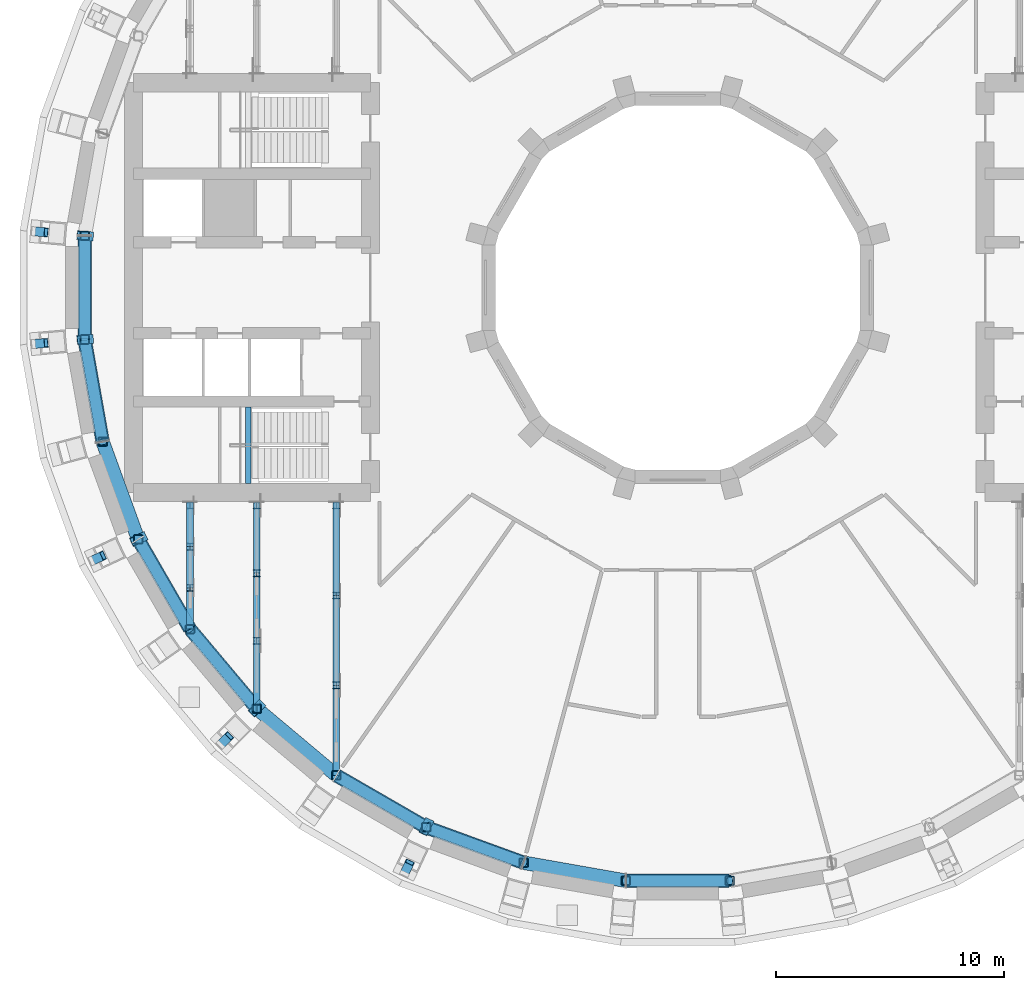
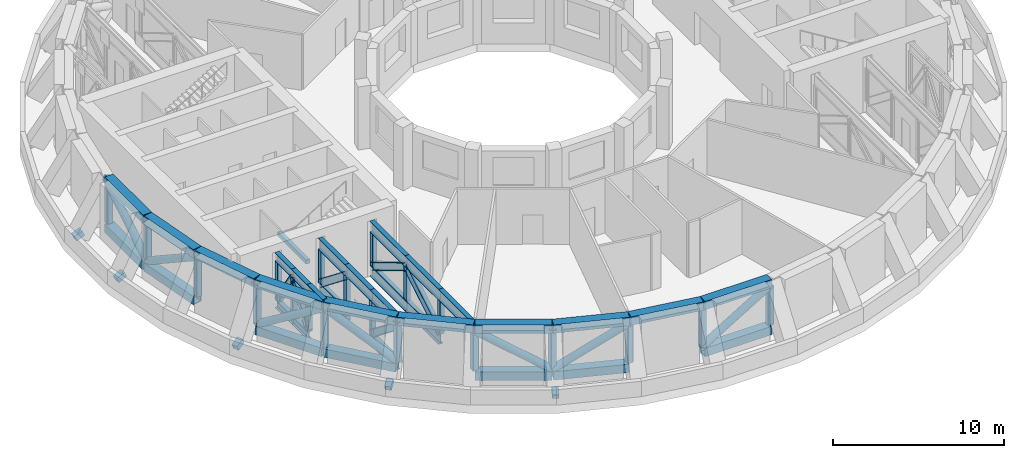
# One storey, part 2 of 19: 65 members, 11 beams.
"""IFC4 building model written with IfcOpenShell, lengths in metres."""

from ifc_helpers import new_model, si_unit, direction, frame, origin, origin_2d, place, context, subcontext, project, spatial, rectangle, hollow_rectangle, hollow_circle, i_section, extrude, material, material_profile, profile_set, type_object, element, save


model = new_model("IFC4")

# Units and contexts
model_context = context("Model", 3, precision=1e-05, world=origin(), true_north=direction((0.0, 1.0)))
body_context = subcontext(model_context, "Body", "Model", "MODEL_VIEW")
ifc_project = project(units=[si_unit("LENGTHUNIT", "METRE"), si_unit("AREAUNIT", "SQUARE_METRE"), si_unit("VOLUMEUNIT", "CUBIC_METRE"), si_unit("PLANEANGLEUNIT", "RADIAN"), si_unit("MASSUNIT", "GRAM", prefix="KILO")], contexts=[model_context])

# Site, building, storey
site_placement = place(None, origin())
site = spatial("IfcSite", under=ifc_project, at=site_placement, CompositionType="ELEMENT")
building_placement = place(site_placement, origin())
building = spatial("IfcBuilding", under=site, at=building_placement, Name="Saqina Gate Tower", CompositionType="ELEMENT")
storey_placement = place(building_placement, frame((0.0, 0.0, 82.39990234375)))
storey = spatial("IfcBuildingStorey", under=building, at=storey_placement, Name="L23", CompositionType="ELEMENT", Elevation=82.39990234375)

# Beam
ifc_material_1 = material(Name="Concrete C40/50", Category="concrete")
ifc_material_profile_1 = material_profile(ifc_material_1, rectangle(XDim=0.25, YDim=0.300048828125, at=origin_2d()), Name="STAIR LANDING BEAM")
ifc_profile_set_1 = profile_set([ifc_material_profile_1], Name="Concrete C40/50")
beam_type_1 = type_object("IfcBeamType", Name="STAIR LANDING BEAM", PredefinedType="BEAM", material=ifc_profile_set_1)
beam_placement = place(storey_placement, frame((-18.860107421875, -8.60009765625, 1.85009765625), z_axis=(0.0, 1.0, 0.0), x_axis=(-1.0, 0.0, 0.0)))
element("IfcBeam", 1, at=beam_placement, inside=storey, type_object=beam_type_1, Name="EXIT STAIR 4 LANDING BEAM", PredefinedType="BEAM", context=body_context, shape_type="SweptSolid", body=[
    extrude(rectangle(XDim=0.25, YDim=0.300048828125, at=origin_2d()), origin(), (0.0, 0.0, 1.0), 3.35009765625),
])

# Members
ifc_material_2 = material(Name="Steel S460", Category="steel")
ifc_material_profile_2 = material_profile(ifc_material_2, hollow_rectangle(XDim=0.60009765625, YDim=0.60009765625, WallThickness=0.050048828125, at=origin_2d()), Name="BOX 600x600x50")
ifc_profile_set_2 = profile_set([ifc_material_profile_2], Name="Steel S460")
member_type_1 = type_object("IfcMemberType", Name="STR-BELT TRUSS L23 CHORD-BOX 600x600x50", PredefinedType="CHORD", material=ifc_profile_set_2)
for number, where, z_axis, x_axis, name in (
    (2, (-26.050537109375, 2.2529296875, 0.300048828125), (0.0, -1.0, 0.0), (1.0, 0.0, 0.0), "BELT TRUSS L23 CHORD 040"),
    (3, (-26.050537109375, 2.2529296875, 3.650146484375), (0.0, -1.0, 0.0), (1.0, 0.0, 0.0), "BELT TRUSS L23 CHORD 041"),
):
    element("IfcMember", number, at=place(storey_placement, frame(where, z_axis=z_axis, x_axis=x_axis)), inside=storey, type_object=member_type_1, Name=name, PredefinedType="CHORD", context=body_context, shape_type="SweptSolid", body=[
        extrude(hollow_rectangle(XDim=0.60009765625, YDim=0.60009765625, WallThickness=0.050048828125, at=origin_2d()), origin(), (0.0, 0.0, 1.0), 4.505859375),
    ])
for number, where, z_axis, x_axis, name in (
    (4, (-26.0458984375, -2.304931640625, 0.300048828125), (0.173661689795, -0.984805370364, 0.0), (0.984805370364, 0.173661689795, 0.0), "BELT TRUSS L23 CHORD 043"),
    (5, (-26.0458984375, -2.304931640625, 3.650146484375), (0.173661689795, -0.984805370364, 0.0), (0.984805370364, 0.173661689795, 0.0), "BELT TRUSS L23 CHORD 044"),
):
    element("IfcMember", number, at=place(storey_placement, frame(where, z_axis=z_axis, x_axis=x_axis)), inside=storey, type_object=member_type_1, Name=name, PredefinedType="CHORD", context=body_context, shape_type="SweptSolid", body=[
        extrude(hollow_rectangle(XDim=0.60009765625, YDim=0.60009765625, WallThickness=0.050048828125, at=origin_2d()), origin(), (0.0, 0.0, 1.0), 4.505615234375),
    ])
for number, where, z_axis, x_axis, name in (
    (6, (-25.25, -6.792724609375, 3.650146484375), (0.342004078246, -0.939698467841, 0.0), (0.939698467841, 0.342004078246, 0.0), "BELT TRUSS L23 CHORD 046"),
    (7, (-23.686767578125, -11.07421875, 0.300048828125), (0.500008560247, -0.866020461467, 0.0), (0.866020461467, 0.500008560247, 0.0), "BELT TRUSS L23 CHORD 047"),
    (8, (-23.686767578125, -11.07421875, 3.650146484375), (0.500008560247, -0.866020461467, 0.0), (0.866020461467, 0.500008560247, 0.0), "BELT TRUSS L23 CHORD 048"),
    (9, (-21.404052734375, -15.01904296875, 0.300048828125), (0.642781549747, -0.766049527971, 0.0), (0.766049527971, 0.642781549747, 0.0), "BELT TRUSS L23 CHORD 050"),
    (10, (-21.404052734375, -15.01904296875, 3.650146484375), (0.642781549747, -0.766049527971, 0.0), (0.766049527971, 0.642781549747, 0.0), "BELT TRUSS L23 CHORD 051"),
    (11, (-18.470703125, -18.5078125, 3.650146484375), (0.766049527971, -0.642781549747, 0.0), (0.642781549747, 0.766049527971, 0.0), "BELT TRUSS L23 CHORD 053"),
    (12, (-14.976318359375, -21.433837890625, 0.300048828125), (0.866020461467, -0.500008560247, 0.0), (0.500008560247, 0.866020461467, 0.0), "BELT TRUSS L23 CHORD 054"),
    (13, (-14.976318359375, -21.433837890625, 3.650146484375), (0.866020461467, -0.500008560247, 0.0), (0.500008560247, 0.866020461467, 0.0), "BELT TRUSS L23 CHORD 055"),
    (14, (-11.02685546875, -23.708984375, 0.300048828125), (0.939698467841, -0.342004078246, 0.0), (0.342004078246, 0.939698467841, 0.0), "BELT TRUSS L23 CHORD 057"),
    (15, (-11.02685546875, -23.708984375, 3.650146484375), (0.939698467841, -0.342004078246, 0.0), (0.342004078246, 0.939698467841, 0.0), "BELT TRUSS L23 CHORD 058"),
):
    element("IfcMember", number, at=place(storey_placement, frame(where, z_axis=z_axis, x_axis=x_axis)), inside=storey, type_object=member_type_1, Name=name, PredefinedType="CHORD", context=body_context, shape_type="SweptSolid", body=[
        extrude(hollow_rectangle(XDim=0.60009765625, YDim=0.60009765625, WallThickness=0.050048828125, at=origin_2d()), origin(), (0.0, 0.0, 1.0), 4.505859375),
    ])
member_1_placement = place(storey_placement, frame((-6.7421875, -25.263427734375, 3.650146484375), z_axis=(0.984805370364, -0.173661689795, 0.0), x_axis=(0.173661689795, 0.984805370364, 0.0)))
element("IfcMember", 16, at=member_1_placement, inside=storey, type_object=member_type_1, Name="BELT TRUSS L23 CHORD 060", PredefinedType="CHORD", context=body_context, shape_type="SweptSolid", body=[
    extrude(hollow_rectangle(XDim=0.60009765625, YDim=0.60009765625, WallThickness=0.050048828125, at=origin_2d()), origin(), (0.0, 0.0, 1.0), 4.505615234375),
])
for number, where, z_axis, x_axis, name in (
    (17, (-2.2529296875, -26.050537109375, 0.300048828125), (1.0, 0.0, 0.0), (0.0, 1.0, 0.0), "BELT TRUSS L23 CHORD 061"),
    (18, (-2.2529296875, -26.050537109375, 3.650146484375), (1.0, 0.0, 0.0), (0.0, 1.0, 0.0), "BELT TRUSS L23 CHORD 062"),
):
    element("IfcMember", number, at=place(storey_placement, frame(where, z_axis=z_axis, x_axis=x_axis)), inside=storey, type_object=member_type_1, Name=name, PredefinedType="CHORD", context=body_context, shape_type="SweptSolid", body=[
        extrude(hollow_rectangle(XDim=0.60009765625, YDim=0.60009765625, WallThickness=0.050048828125, at=origin_2d()), origin(), (0.0, 0.0, 1.0), 4.505859375),
    ])
ifc_material_3 = material(Name="Steel S460", Category="steel")
ifc_material_profile_3 = material_profile(ifc_material_3, hollow_circle(Radius=0.25390625, WallThickness=0.02001953125, at=origin_2d()), Name="CHS 508x20")
ifc_profile_set_3 = profile_set([ifc_material_profile_3], Name="Steel S460")
member_type_2 = type_object("IfcMemberType", Name="STR-BELT TRUSS L23 DIAGONAL-CHS 508x20", PredefinedType="BRACE", material=ifc_profile_set_3)
member_2_placement = place(storey_placement, frame((-26.050537109375, 2.289306640625, 3.356201171875), z_axis=(0.0, -0.856249638459, -0.516562248562), x_axis=(1.0, 0.0, 0.0)))
element("IfcMember", 19, at=member_2_placement, inside=storey, type_object=member_type_2, Name="BELT TRUSS L23 DIAGONAL 042", PredefinedType="BRACE", context=body_context, shape_type="SweptSolid", body=[
    extrude(hollow_circle(Radius=0.25390625, WallThickness=0.02001953125, at=origin_2d()), origin(), (0.0, 0.0, 1.0), 5.34716796875),
])
for number, where, z_axis, x_axis, name in (
    (20, (-26.05224609375, -2.26904296875, 0.593994140625), (0.148698900419, -0.843251056415, 0.516542634125), (0.984805558509, 0.173660622851, 0.0), "BELT TRUSS L23 DIAGONAL 045"),
    (21, (-23.705078125, -11.04248046875, 0.593994140625), (0.428116708438, -0.741545438674, 0.516552462329), (0.866032862936, 0.499987080147, 0.0), "BELT TRUSS L23 DIAGONAL 049"),
):
    element("IfcMember", number, at=place(storey_placement, frame(where, z_axis=z_axis, x_axis=x_axis)), inside=storey, type_object=member_type_2, Name=name, PredefinedType="BRACE", context=body_context, shape_type="SweptSolid", body=[
        extrude(hollow_circle(Radius=0.25390625, WallThickness=0.02001953125, at=origin_2d()), origin(), (0.0, 0.0, 1.0), 5.347412109375),
    ])
member_3_placement = place(storey_placement, frame((-21.427490234375, -14.9912109375, 3.356201171875), z_axis=(0.550413681334, -0.655921811524, -0.51653785589), x_axis=(0.766027230589, 0.642808122223, 0.0)))
element("IfcMember", 22, at=member_3_placement, inside=storey, type_object=member_type_2, Name="BELT TRUSS L23 DIAGONAL 052", PredefinedType="BRACE", context=body_context, shape_type="SweptSolid", body=[
    extrude(hollow_circle(Radius=0.25390625, WallThickness=0.02001953125, at=origin_2d()), origin(), (0.0, 0.0, 1.0), 5.34765625),
])
member_4_placement = place(storey_placement, frame((-15.0078125, -21.415771484375, 3.356201171875), z_axis=(0.741545438674, -0.428116708438, -0.516552462329), x_axis=(0.499987080147, 0.866032862936, 0.0)))
element("IfcMember", 23, at=member_4_placement, inside=storey, type_object=member_type_2, Name="BELT TRUSS L23 DIAGONAL 056", PredefinedType="BRACE", context=body_context, shape_type="SweptSolid", body=[
    extrude(hollow_circle(Radius=0.25390625, WallThickness=0.02001953125, at=origin_2d()), origin(), (0.0, 0.0, 1.0), 5.347412109375),
])
for number, where, z_axis, x_axis, name in (
    (24, (-11.06103515625, -23.696533203125, 0.593994140625), (0.804614184713, -0.292844315993, 0.516563858926), (0.34200849274, 0.939696861171, 0.0), "BELT TRUSS L23 DIAGONAL 059"),
    (25, (-2.289306640625, -26.050537109375, 0.593994140625), (0.856249638459, 0.0, 0.516562248562), (0.0, 1.0, 0.0), "BELT TRUSS L23 DIAGONAL 063"),
):
    element("IfcMember", number, at=place(storey_placement, frame(where, z_axis=z_axis, x_axis=x_axis)), inside=storey, type_object=member_type_2, Name=name, PredefinedType="BRACE", context=body_context, shape_type="SweptSolid", body=[
        extrude(hollow_circle(Radius=0.25390625, WallThickness=0.02001953125, at=origin_2d()), origin(), (0.0, 0.0, 1.0), 5.34716796875),
    ])
ifc_material_4 = material(Name="Steel S460", Category="steel")
ifc_material_profile_4 = material_profile(ifc_material_4, hollow_rectangle(XDim=0.39990234375, YDim=0.39990234375, WallThickness=0.02001953125, InnerFilletRadius=0.0400390625, OuterFilletRadius=0.06005859375, at=origin_2d()), Name="SHS 400x400x20")
ifc_profile_set_4 = profile_set([ifc_material_profile_4], Name="Steel S460")
member_type_3 = type_object("IfcMemberType", Name="STR-BELT TRUSS L23 POST-SHS 400x400x20", PredefinedType="POST", material=ifc_profile_set_4)
for number, where, z_axis, x_axis, name in (
    (26, (-26.050537109375, 2.279052734375, 0.60009765625), (0.0, 0.0, 1.0), (1.0, 0.0, 0.0), "BELT TRUSS L23 POST 101"),
    (27, (-26.050537109375, -2.279052734375, 0.60009765625), (0.0, 0.0, 1.0), (1.0, 0.0, 0.0), "BELT TRUSS L23 POST 102"),
    (28, (-25.259033203125, -6.76806640625, 0.60009765625), (0.0, 0.0, 1.0), (1.0, 0.0, 0.0), "BELT TRUSS L23 POST 103"),
    (29, (-23.699951171875, -11.051513671875, 0.60009765625), (0.0, 0.0, 1.0), (1.0, 0.0, 0.0), "BELT TRUSS L23 POST 104"),
    (30, (-21.4208984375, -14.9990234375, 0.60009765625), (0.0, 0.0, 1.0), (1.0, 0.0, 0.0), "BELT TRUSS L23 POST 105"),
    (31, (-18.49072265625, -18.49072265625, 0.60009765625), (0.0, 0.0, 1.0), (1.0, 0.0, 0.0), "BELT TRUSS L23 POST 106"),
    (32, (-14.9990234375, -21.4208984375, 0.60009765625), (0.0, 0.0, 1.0), (1.0, 0.0, 0.0), "BELT TRUSS L23 POST 107"),
    (33, (-11.051513671875, -23.699951171875, 0.60009765625), (0.0, 0.0, 1.0), (1.0, 0.0, 0.0), "BELT TRUSS L23 POST 108"),
    (34, (-6.76806640625, -25.259033203125, 0.60009765625), (0.0, 0.0, 1.0), (1.0, 0.0, 0.0), "BELT TRUSS L23 POST 109"),
    (35, (-2.279052734375, -26.050537109375, 0.60009765625), (0.0, 0.0, 1.0), (1.0, 0.0, 0.0), "BELT TRUSS L23 POST 110"),
    (36, (2.279052734375, -26.050537109375, 0.60009765625), (0.0, 0.0, 1.0), (1.0, 0.0, 0.0), "BELT TRUSS L23 POST 111"),
):
    element("IfcMember", number, at=place(storey_placement, frame(where, z_axis=z_axis, x_axis=x_axis)), inside=storey, type_object=member_type_3, Name=name, PredefinedType="POST", context=body_context, shape_type="SweptSolid", body=[
        extrude(hollow_rectangle(XDim=0.39990234375, YDim=0.39990234375, WallThickness=0.02001953125, InnerFilletRadius=0.0400390625, OuterFilletRadius=0.06005859375, at=origin_2d()), origin(), (0.0, 0.0, 1.0), 2.75),
    ])

# Beams
ifc_material_5 = material(Name="Steel S460", Category="steel")
ifc_material_profile_5 = material_profile(ifc_material_5, hollow_rectangle(XDim=0.39990234375, YDim=0.39990234375, WallThickness=0.030029296875, at=origin_2d()), Name="BOX 400x400x30")
ifc_profile_set_5 = profile_set([ifc_material_profile_5], Name="Steel S460")
beam_type_2 = type_object("IfcBeamType", Name="STR-NODE TIE BEAM L23-BOX 400x400x30", PredefinedType="BEAM", material=ifc_profile_set_5)
for number, where, z_axis, x_axis, name in (
    (37, (-28.2919921875, 2.475341796875, 0.18212890625), (0.906411527523, -0.079573561017, 0.414832726723), (0.087453305759, 0.996168619919, 0.0), "NODE TIE BEAM L23 18 FOOT"),
    (38, (-25.751708984375, 2.2529296875, 3.517333984375), (-0.906411527523, 0.079573561017, 0.414832726723), (-0.087453305759, -0.996168619919, 0.0), "NODE TIE BEAM L23 18 HEAD"),
    (39, (-28.2919921875, -2.475341796875, 0.18212890625), (0.906411527523, 0.079573561017, 0.414832726723), (-0.087453305759, 0.996168619919, 0.0), "NODE TIE BEAM L23 19 FOOT"),
    (40, (-25.751708984375, -2.2529296875, 3.517333984375), (-0.906411527523, -0.079573561017, 0.414832726723), (0.087453305759, -0.996168619919, 0.0), "NODE TIE BEAM L23 19 HEAD"),
    (41, (-25.7392578125, -12.00244140625, 0.18212890625), (0.824702421307, 0.384484184664, 0.414774430305), (-0.42254525848, 0.906341825437, 0.0), "NODE TIE BEAM L23 21 FOOT"),
    (42, (-23.427978515625, -10.9248046875, 3.517333984375), (-0.824702421307, -0.384484184664, 0.414774430305), (0.42254525848, -0.906341825437, 0.0), "NODE TIE BEAM L23 21 HEAD"),
    (43, (-20.081787109375, -20.081787109375, 0.18212890625), (0.643405223047, 0.643405223047, 0.414800479642), (-0.707106781187, 0.707106781187, 0.0), "NODE TIE BEAM L23 23 FOOT"),
    (44, (-18.27880859375, -18.27880859375, 3.517333984375), (-0.643405223047, -0.643405223047, 0.414800479642), (0.707106781187, -0.707106781187, 0.0), "NODE TIE BEAM L23 23 HEAD"),
    (45, (-12.00244140625, -25.7392578125, 0.18212890625), (0.384484184664, 0.824702421307, 0.414774430305), (-0.906341825437, 0.42254525848, 0.0), "NODE TIE BEAM L23 25 FOOT"),
    (46, (-10.9248046875, -23.427978515625, 3.517333984375), (-0.384484184664, -0.824702421307, 0.414774430305), (0.906341825437, -0.42254525848, 0.0), "NODE TIE BEAM L23 25 HEAD"),
):
    element("IfcBeam", number, at=place(storey_placement, frame(where, z_axis=z_axis, x_axis=x_axis)), inside=storey, type_object=beam_type_2, Name=name, PredefinedType="BEAM", context=body_context, shape_type="SweptSolid", body=[
        extrude(hollow_rectangle(XDim=0.39990234375, YDim=0.39990234375, WallThickness=0.030029296875, at=origin_2d()), origin(), (0.0, 0.0, 1.0), 0.6044921875),
    ])

# Members
ifc_material_6 = material(Name="Steel S460", Category="steel")
ifc_material_profile_6 = material_profile(ifc_material_6, i_section(OverallWidth=0.304931640625, OverallDepth=0.6201171875, WebThickness=0.02099609375, FlangeThickness=0.0400390625, FilletRadius=0.027099609375, at=origin_2d()), Name="HE 600 M")
ifc_profile_set_6 = profile_set([ifc_material_profile_6], Name="Steel S460")
member_type_4 = type_object("IfcMemberType", Name="STR-OUTRIGGER TRUSS L23 CHORD-HE 600 M", PredefinedType="CHORD", material=ifc_profile_set_6)
for number, where, z_axis, x_axis, name in (
    (47, (-21.4208984375, -9.41796875, 0.31005859375), (0.0, -1.0, 0.0), (1.0, 0.0, 0.0), "OUTRIGGER TRUSS L23 CHORD 150"),
    (48, (-21.4208984375, -9.41796875, 3.64013671875), (0.0, -1.0, 0.0), (1.0, 0.0, 0.0), "OUTRIGGER TRUSS L23 CHORD 151"),
):
    element("IfcMember", number, at=place(storey_placement, frame(where, z_axis=z_axis, x_axis=x_axis)), inside=storey, type_object=member_type_4, Name=name, PredefinedType="CHORD", context=body_context, shape_type="SweptSolid", body=[
        extrude(i_section(OverallWidth=0.304931640625, OverallDepth=0.6201171875, WebThickness=0.02099609375, FlangeThickness=0.0400390625, FilletRadius=0.027099609375, at=origin_2d()), origin(), (0.0, 0.0, 1.0), 1.96044921875),
    ])
for number, where, z_axis, x_axis, name in (
    (49, (-21.4208984375, -11.37841796875, 0.31005859375), (0.0, -1.0, 0.0), (1.0, 0.0, 0.0), "OUTRIGGER TRUSS L23 CHORD 153"),
    (50, (-21.4208984375, -11.37841796875, 3.64013671875), (0.0, -1.0, 0.0), (1.0, 0.0, 0.0), "OUTRIGGER TRUSS L23 CHORD 154"),
    (51, (-21.4208984375, -13.188720703125, 3.64013671875), (0.0, -1.0, 0.0), (1.0, 0.0, 0.0), "OUTRIGGER TRUSS L23 CHORD 156"),
):
    element("IfcMember", number, at=place(storey_placement, frame(where, z_axis=z_axis, x_axis=x_axis)), inside=storey, type_object=member_type_4, Name=name, PredefinedType="CHORD", context=body_context, shape_type="SweptSolid", body=[
        extrude(i_section(OverallWidth=0.304931640625, OverallDepth=0.6201171875, WebThickness=0.02099609375, FlangeThickness=0.0400390625, FilletRadius=0.027099609375, at=origin_2d()), origin(), (0.0, 0.0, 1.0), 1.810302734375),
    ])
ifc_material_7 = material(Name="Steel S460", Category="steel")
ifc_material_profile_7 = material_profile(ifc_material_7, i_section(OverallWidth=0.306884765625, OverallDepth=0.431884765625, WebThickness=0.02099609375, FlangeThickness=0.0400390625, FilletRadius=0.027099609375, at=origin_2d()), Name="HE 400 M")
ifc_profile_set_7 = profile_set([ifc_material_profile_7], Name="Steel S460")
member_type_5 = type_object("IfcMemberType", Name="STR-OUTRIGGER TRUSS L23 DIAGONAL-HE 400 M", PredefinedType="BRACE", material=ifc_profile_set_7)
for number, where, z_axis, x_axis, name in (
    (52, (-21.4208984375, -9.561279296875, 0.610107421875), (0.0, -0.555489335201, 0.831523660805), (1.0, 0.0, 0.0), "OUTRIGGER TRUSS L23 DIAGONAL 152"),
    (53, (-21.4208984375, -11.37158203125, 3.340087890625), (0.0, -0.555489335201, -0.831523660805), (1.0, 0.0, 0.0), "OUTRIGGER TRUSS L23 DIAGONAL 155"),
):
    element("IfcMember", number, at=place(storey_placement, frame(where, z_axis=z_axis, x_axis=x_axis)), inside=storey, type_object=member_type_5, Name=name, PredefinedType="BRACE", context=body_context, shape_type="SweptSolid", body=[
        extrude(i_section(OverallWidth=0.306884765625, OverallDepth=0.431884765625, WebThickness=0.02099609375, FlangeThickness=0.0400390625, FilletRadius=0.027099609375, at=origin_2d()), origin(), (0.0, 0.0, 1.0), 3.283203125),
    ])
ifc_material_8 = material(Name="Steel S460", Category="steel")
ifc_material_profile_8 = material_profile(ifc_material_8, i_section(OverallWidth=0.300048828125, OverallDepth=0.800048828125, WebThickness=0.017578125, FlangeThickness=0.032958984375, FilletRadius=0.030029296875, at=origin_2d()), Name="HE 800 B")
ifc_profile_set_8 = profile_set([ifc_material_profile_8], Name="Steel S460")
member_type_6 = type_object("IfcMemberType", Name="STR-OUTRIGGER TRUSS L23 LONG CHORD-HE 800 B", PredefinedType="CHORD", material=ifc_profile_set_8)
member_5_placement = place(storey_placement, frame((-18.49072265625, -9.41796875, 0.400146484375), z_axis=(0.0, -1.0, 0.0), x_axis=(1.0, 0.0, 0.0)))
element("IfcMember", 54, at=member_5_placement, inside=storey, type_object=member_type_6, Name="OUTRIGGER TRUSS L23 LONG CHORD 190", PredefinedType="CHORD", context=body_context, shape_type="SweptSolid", body=[
    extrude(i_section(OverallWidth=0.300048828125, OverallDepth=0.800048828125, WebThickness=0.017578125, FlangeThickness=0.032958984375, FilletRadius=0.030029296875, at=origin_2d()), origin(), (0.0, 0.0, 1.0), 2.974365234375),
])
member_6_placement = place(storey_placement, frame((-18.49072265625, -9.41796875, 3.550048828125), z_axis=(0.0, -1.0, 0.0), x_axis=(1.0, 0.0, 0.0)))
element("IfcMember", 55, at=member_6_placement, inside=storey, type_object=member_type_6, Name="OUTRIGGER TRUSS L23 LONG CHORD 191", PredefinedType="CHORD", context=body_context, shape_type="SweptSolid", body=[
    extrude(i_section(OverallWidth=0.300048828125, OverallDepth=0.800048828125, WebThickness=0.017578125, FlangeThickness=0.032958984375, FilletRadius=0.030029296875, at=origin_2d()), origin(), (0.0, 0.0, 1.0), 3.124267578125),
])
member_7_placement = place(storey_placement, frame((-18.49072265625, -15.66650390625, 0.400146484375), z_axis=(0.0, -1.0, 0.0), x_axis=(1.0, 0.0, 0.0)))
element("IfcMember", 56, at=member_7_placement, inside=storey, type_object=member_type_6, Name="OUTRIGGER TRUSS L23 LONG CHORD 193", PredefinedType="CHORD", context=body_context, shape_type="SweptSolid", body=[
    extrude(i_section(OverallWidth=0.300048828125, OverallDepth=0.800048828125, WebThickness=0.017578125, FlangeThickness=0.032958984375, FilletRadius=0.030029296875, at=origin_2d()), origin(), (0.0, 0.0, 1.0), 2.82421875),
])
member_8_placement = place(storey_placement, frame((-18.49072265625, -15.5166015625, 3.550048828125), z_axis=(0.0, -1.0, 0.0), x_axis=(1.0, 0.0, 0.0)))
element("IfcMember", 57, at=member_8_placement, inside=storey, type_object=member_type_6, Name="OUTRIGGER TRUSS L23 LONG CHORD 194", PredefinedType="CHORD", context=body_context, shape_type="SweptSolid", body=[
    extrude(i_section(OverallWidth=0.300048828125, OverallDepth=0.800048828125, WebThickness=0.017578125, FlangeThickness=0.032958984375, FilletRadius=0.030029296875, at=origin_2d()), origin(), (0.0, 0.0, 1.0), 2.97412109375),
])
member_9_placement = place(storey_placement, frame((-18.49072265625, -12.542236328125, 3.550048828125), z_axis=(0.0, -1.0, 0.0), x_axis=(1.0, 0.0, 0.0)))
element("IfcMember", 58, at=member_9_placement, inside=storey, type_object=member_type_6, Name="OUTRIGGER TRUSS L23 LONG CHORD 196", PredefinedType="CHORD", context=body_context, shape_type="SweptSolid", body=[
    extrude(i_section(OverallWidth=0.300048828125, OverallDepth=0.800048828125, WebThickness=0.017578125, FlangeThickness=0.032958984375, FilletRadius=0.030029296875, at=origin_2d()), origin(), (0.0, 0.0, 1.0), 2.974365234375),
])
for number, where, z_axis, x_axis, name in (
    (59, (-14.9990234375, -9.41796875, 0.400146484375), (0.0, -1.0, 0.0), (1.0, 0.0, 0.0), "OUTRIGGER TRUSS L23 LONG CHORD 230"),
    (60, (-14.9990234375, -9.41796875, 3.550048828125), (0.0, -1.0, 0.0), (1.0, 0.0, 0.0), "OUTRIGGER TRUSS L23 LONG CHORD 231"),
):
    element("IfcMember", number, at=place(storey_placement, frame(where, z_axis=z_axis, x_axis=x_axis)), inside=storey, type_object=member_type_6, Name=name, PredefinedType="CHORD", context=body_context, shape_type="SweptSolid", body=[
        extrude(i_section(OverallWidth=0.300048828125, OverallDepth=0.800048828125, WebThickness=0.017578125, FlangeThickness=0.032958984375, FilletRadius=0.030029296875, at=origin_2d()), origin(), (0.0, 0.0, 1.0), 4.10107421875),
    ])
for number, where, z_axis, x_axis, name in (
    (61, (-14.9990234375, -13.51904296875, 0.400146484375), (0.0, -1.0, 0.0), (1.0, 0.0, 0.0), "OUTRIGGER TRUSS L23 LONG CHORD 233"),
    (62, (-14.9990234375, -13.51904296875, 3.550048828125), (0.0, -1.0, 0.0), (1.0, 0.0, 0.0), "OUTRIGGER TRUSS L23 LONG CHORD 234"),
    (63, (-14.9990234375, -17.469970703125, 3.550048828125), (0.0, -1.0, 0.0), (1.0, 0.0, 0.0), "OUTRIGGER TRUSS L23 LONG CHORD 236"),
):
    element("IfcMember", number, at=place(storey_placement, frame(where, z_axis=z_axis, x_axis=x_axis)), inside=storey, type_object=member_type_6, Name=name, PredefinedType="CHORD", context=body_context, shape_type="SweptSolid", body=[
        extrude(i_section(OverallWidth=0.300048828125, OverallDepth=0.800048828125, WebThickness=0.017578125, FlangeThickness=0.032958984375, FilletRadius=0.030029296875, at=origin_2d()), origin(), (0.0, 0.0, 1.0), 3.950927734375),
    ])
ifc_material_9 = material(Name="Steel S460", Category="steel")
ifc_material_profile_9 = material_profile(ifc_material_9, i_section(OverallWidth=0.305908203125, OverallDepth=0.52392578125, WebThickness=0.02099609375, FlangeThickness=0.0400390625, FilletRadius=0.027099609375, at=origin_2d()), Name="HE 500 M")
ifc_profile_set_9 = profile_set([ifc_material_profile_9], Name="Steel S460")
member_type_7 = type_object("IfcMemberType", Name="STR-OUTRIGGER TRUSS L23 LONG DIAGONAL-HE 500 M", PredefinedType="BRACE", material=ifc_profile_set_9)
for number, where, z_axis, x_axis, name in (
    (64, (-18.49072265625, -9.55859375, 0.792724609375), (0.0, -0.784663187604, 0.619922319342), (1.0, 0.0, 0.0), "OUTRIGGER TRUSS L23 LONG DIAGONAL 192"),
    (65, (-18.49072265625, -15.507080078125, 0.792724609375), (0.0, -0.784663187604, 0.619922319342), (1.0, 0.0, 0.0), "OUTRIGGER TRUSS L23 LONG DIAGONAL 195"),
):
    element("IfcMember", number, at=place(storey_placement, frame(where, z_axis=z_axis, x_axis=x_axis)), inside=storey, type_object=member_type_7, Name=name, PredefinedType="BRACE", context=body_context, shape_type="SweptSolid", body=[
        extrude(i_section(OverallWidth=0.305908203125, OverallDepth=0.52392578125, WebThickness=0.02099609375, FlangeThickness=0.0400390625, FilletRadius=0.027099609375, at=origin_2d()), origin(), (0.0, 0.0, 1.0), 3.814697265625),
    ])
for number, where, z_axis, x_axis, name in (
    (66, (-14.9990234375, -9.5576171875, 0.7939453125), (0.0, -0.859463118365, 0.511197758378), (1.0, 0.0, 0.0), "OUTRIGGER TRUSS L23 LONG DIAGONAL 232"),
    (67, (-14.9990234375, -13.508544921875, 3.15625), (0.0, -0.859463118365, -0.511197758378), (1.0, 0.0, 0.0), "OUTRIGGER TRUSS L23 LONG DIAGONAL 235"),
):
    element("IfcMember", number, at=place(storey_placement, frame(where, z_axis=z_axis, x_axis=x_axis)), inside=storey, type_object=member_type_7, Name=name, PredefinedType="BRACE", context=body_context, shape_type="SweptSolid", body=[
        extrude(i_section(OverallWidth=0.305908203125, OverallDepth=0.52392578125, WebThickness=0.02099609375, FlangeThickness=0.0400390625, FilletRadius=0.027099609375, at=origin_2d()), origin(), (0.0, 0.0, 1.0), 4.62109375),
    ])
ifc_material_10 = material(Name="Steel S460", Category="steel")
ifc_material_profile_10 = material_profile(ifc_material_10, i_section(OverallWidth=0.300048828125, OverallDepth=0.300048828125, WebThickness=0.010986328125, FlangeThickness=0.01904296875, FilletRadius=0.027099609375, at=origin_2d()), Name="HE 300 B")
ifc_profile_set_10 = profile_set([ifc_material_profile_10], Name="Steel S460")
member_type_8 = type_object("IfcMemberType", Name="STR-OUTRIGGER TRUSS L23 LONG POST-HE 300 B", PredefinedType="POST", material=ifc_profile_set_10)
member_10_placement = place(storey_placement, frame((-18.49072265625, -9.568115234375, 0.800048828125), z_axis=(0.0, 0.0, 1.0), x_axis=(1.0, 0.0, 0.0)))
element("IfcMember", 68, at=member_10_placement, inside=storey, type_object=member_type_8, Name="OUTRIGGER TRUSS L23 LONG POST 197", PredefinedType="POST", context=body_context, shape_type="SweptSolid", body=[
    extrude(i_section(OverallWidth=0.300048828125, OverallDepth=0.300048828125, WebThickness=0.010986328125, FlangeThickness=0.01904296875, FilletRadius=0.027099609375, at=origin_2d()), origin(), (0.0, 0.0, 1.0), 2.35009765625),
])
for number, where, z_axis, x_axis, name in (
    (69, (-18.49072265625, -12.542236328125, 0.0), (0.0, 0.0, 1.0), (1.0, 0.0, 0.0), "OUTRIGGER TRUSS L23 LONG POST 198"),
    (70, (-18.49072265625, -15.5166015625, 0.0), (0.0, 0.0, 1.0), (1.0, 0.0, 0.0), "OUTRIGGER TRUSS L23 LONG POST 199"),
):
    element("IfcMember", number, at=place(storey_placement, frame(where, z_axis=z_axis, x_axis=x_axis)), inside=storey, type_object=member_type_8, Name=name, PredefinedType="POST", context=body_context, shape_type="SweptSolid", body=[
        extrude(i_section(OverallWidth=0.300048828125, OverallDepth=0.300048828125, WebThickness=0.010986328125, FlangeThickness=0.01904296875, FilletRadius=0.027099609375, at=origin_2d()), origin(), (0.0, 0.0, 1.0), 3.150146484375),
    ])
for number, where, z_axis, x_axis, name in (
    (71, (-14.9990234375, -9.568115234375, 0.800048828125), (0.0, 0.0, 1.0), (1.0, 0.0, 0.0), "OUTRIGGER TRUSS L23 LONG POST 237"),
    (72, (-14.9990234375, -13.51904296875, 0.800048828125), (0.0, 0.0, 1.0), (1.0, 0.0, 0.0), "OUTRIGGER TRUSS L23 LONG POST 238"),
    (73, (-14.9990234375, -17.469970703125, 0.800048828125), (0.0, 0.0, 1.0), (1.0, 0.0, 0.0), "OUTRIGGER TRUSS L23 LONG POST 239"),
):
    element("IfcMember", number, at=place(storey_placement, frame(where, z_axis=z_axis, x_axis=x_axis)), inside=storey, type_object=member_type_8, Name=name, PredefinedType="POST", context=body_context, shape_type="SweptSolid", body=[
        extrude(i_section(OverallWidth=0.300048828125, OverallDepth=0.300048828125, WebThickness=0.010986328125, FlangeThickness=0.01904296875, FilletRadius=0.027099609375, at=origin_2d()), origin(), (0.0, 0.0, 1.0), 2.35009765625),
    ])
ifc_material_11 = material(Name="Steel S460", Category="steel")
ifc_material_profile_11 = material_profile(ifc_material_11, i_section(OverallWidth=0.300048828125, OverallDepth=0.300048828125, WebThickness=0.010986328125, FlangeThickness=0.01904296875, FilletRadius=0.027099609375, at=origin_2d()), Name="HE 300 B")
ifc_profile_set_11 = profile_set([ifc_material_profile_11], Name="Steel S460")
member_type_9 = type_object("IfcMemberType", Name="STR-OUTRIGGER TRUSS L23 POST-HE 300 B", PredefinedType="POST", material=ifc_profile_set_11)
for number, where, z_axis, x_axis, name in (
    (74, (-21.4208984375, -9.568115234375, 0.6201171875), (0.0, 0.0, 1.0), (1.0, 0.0, 0.0), "OUTRIGGER TRUSS L23 POST 157"),
    (75, (-21.4208984375, -11.37841796875, 0.6201171875), (0.0, 0.0, 1.0), (1.0, 0.0, 0.0), "OUTRIGGER TRUSS L23 POST 158"),
    (76, (-21.4208984375, -13.188720703125, 0.6201171875), (0.0, 0.0, 1.0), (1.0, 0.0, 0.0), "OUTRIGGER TRUSS L23 POST 159"),
):
    element("IfcMember", number, at=place(storey_placement, frame(where, z_axis=z_axis, x_axis=x_axis)), inside=storey, type_object=member_type_9, Name=name, PredefinedType="POST", context=body_context, shape_type="SweptSolid", body=[
        extrude(i_section(OverallWidth=0.300048828125, OverallDepth=0.300048828125, WebThickness=0.010986328125, FlangeThickness=0.01904296875, FilletRadius=0.027099609375, at=origin_2d()), origin(), (0.0, 0.0, 1.0), 2.7099609375),
    ])

save(model, "model.ifc")
